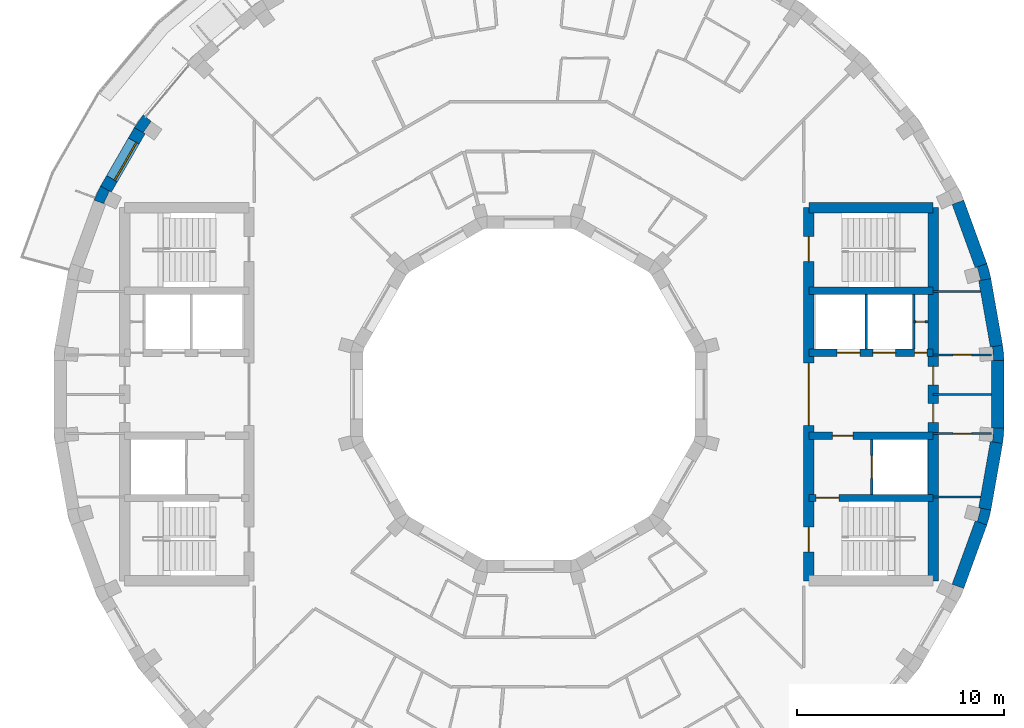
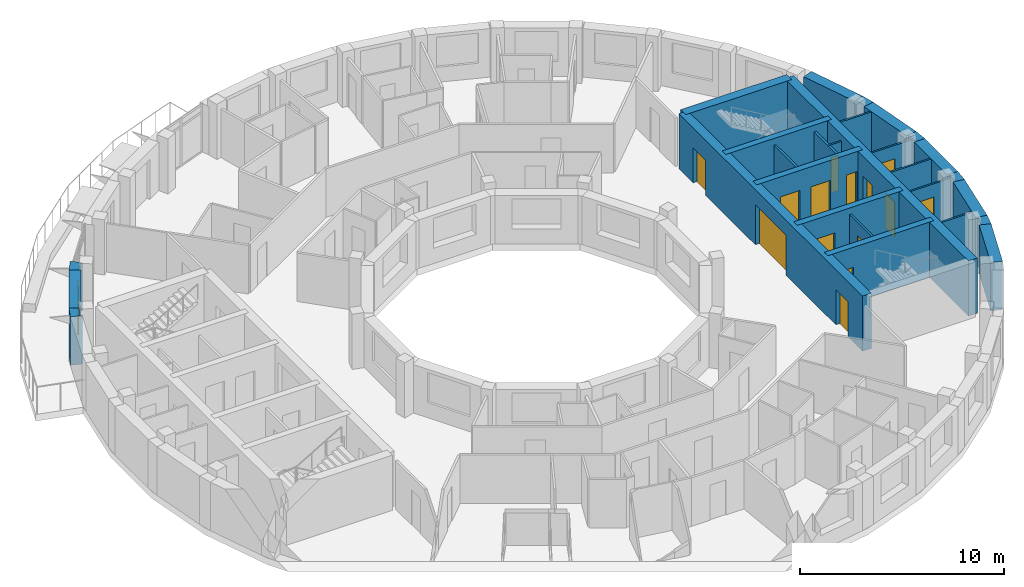
# One storey, part 8 of 12: 28 walls, 14 doors, 1 window, 15 openings.
"""IFC4 building model written with IfcOpenShell, lengths in metres."""

from ifc_helpers import new_model, si_unit, direction, frame, frame_2d, origin, place, context, subcontext, project, spatial, polyline, rectangle, outline, extrude, material, layer, layer_set, type_object, element, fill, save


model = new_model("IFC4")

# Units and contexts
model_context = context("Model", 3, precision=1e-05, world=origin(), true_north=direction((0.0, 1.0)))
body_context = subcontext(model_context, "Body", "Model", "MODEL_VIEW")
ifc_project = project(units=[si_unit("LENGTHUNIT", "METRE"), si_unit("AREAUNIT", "SQUARE_METRE"), si_unit("VOLUMEUNIT", "CUBIC_METRE"), si_unit("PLANEANGLEUNIT", "RADIAN"), si_unit("MASSUNIT", "GRAM", prefix="KILO")], contexts=[model_context])

# Site, building, storey
site_placement = place(None, origin())
site = spatial("IfcSite", under=ifc_project, at=site_placement, CompositionType="ELEMENT")
building_placement = place(site_placement, origin())
building = spatial("IfcBuilding", under=site, at=building_placement, Name="Saqina Gate Tower", CompositionType="ELEMENT")
storey_placement = place(building_placement, frame((0.0, 0.0, 229.699951171875)))
storey = spatial("IfcBuildingStorey", under=building, at=storey_placement, Name="L65", CompositionType="ELEMENT", Elevation=229.699951171875)

# Walls
ifc_material_1 = material(Name="Brick masonry (buff)", Category="masonry")
wall_type_1 = type_object("IfcWallType", Name="BRICK PIER COPING BUFF", PredefinedType="SOLIDWALL", material=ifc_material_1)
wall_1_placement = place(storey_placement, origin())
element("IfcWall", 1, at=wall_1_placement, inside=storey, type_object=wall_type_1, Name="Pier cap L65 column 1", PredefinedType="SOLIDWALL", context=body_context, shape_type="SweptSolid", body=[
    extrude(outline(polyline([(22.91259765625, 1.625732421875), (22.8466796875, 2.377685546875), (22.255859375, 2.2734375), (22.361083984375, 2.28271484375), (22.417724609375, 1.635009765625), (22.3125, 1.625732421875), (22.91259765625, 1.625732421875)])), origin(), (0.0, 0.0, 1.0), 2.900146484375),
])
wall_2_placement = place(storey_placement, origin())
element("IfcWall", 2, at=wall_2_placement, inside=storey, type_object=wall_type_1, Name="Pier cap L65 column 2", PredefinedType="SOLIDWALL", context=body_context, shape_type="SweptSolid", body=[
    extrude(outline(polyline([(22.0869140625, 6.30859375), (21.52294921875, 6.103515625), (21.625, 6.130859375), (21.793212890625, 5.5029296875), (21.691162109375, 5.4755859375), (22.281982421875, 5.579833984375), (22.0869140625, 6.30859375)])), origin(), (0.0, 0.0, 1.0), 2.900146484375),
])
wall_3_placement = place(storey_placement, origin())
element("IfcWall", 3, at=wall_3_placement, inside=storey, type_object=wall_type_1, Name="Pier cap L65 column 15", PredefinedType="SOLIDWALL", context=body_context, shape_type="SweptSolid", body=[
    extrude(outline(polyline([(-19.02978515625, 12.8642578125), (-18.51025390625, 12.564208984375), (-18.596923828125, 12.625), (-18.22412109375, 13.157470703125), (-18.137451171875, 13.0966796875), (-18.59716796875, 13.482421875), (-19.02978515625, 12.8642578125)])), origin(), (0.0, 0.0, 1.0), 2.900146484375),
])
wall_4_placement = place(storey_placement, origin())
element("IfcWall", 4, at=wall_4_placement, inside=storey, type_object=wall_type_1, Name="Pier cap L65 column 16", PredefinedType="SOLIDWALL", context=body_context, shape_type="SweptSolid", body=[
    extrude(outline(polyline([(-20.65576171875, 10.048095703125), (-20.974609375, 9.3642578125), (-20.410888671875, 9.1591796875), (-20.506591796875, 9.203857421875), (-20.23193359375, 9.79296875), (-20.135986328125, 9.748291015625), (-20.65576171875, 10.048095703125)])), origin(), (0.0, 0.0, 1.0), 2.900146484375),
])
wall_5_placement = place(storey_placement, origin())
element("IfcWall", 5, at=wall_5_placement, inside=storey, type_object=wall_type_1, Name="Pier cap L65 column 35", PredefinedType="SOLIDWALL", context=body_context, shape_type="SweptSolid", body=[
    extrude(outline(polyline([(22.281982421875, -5.579833984375), (21.691162109375, -5.4755859375), (21.793212890625, -5.5029296875), (21.625, -6.130859375), (21.52294921875, -6.103515625), (22.0869140625, -6.30859375), (22.281982421875, -5.579833984375)])), origin(), (0.0, 0.0, 1.0), 2.900146484375),
])
wall_6_placement = place(storey_placement, origin())
element("IfcWall", 6, at=wall_6_placement, inside=storey, type_object=wall_type_1, Name="Pier cap L65 column 36", PredefinedType="SOLIDWALL", context=body_context, shape_type="SweptSolid", body=[
    extrude(outline(polyline([(22.8466796875, -2.377685546875), (22.91259765625, -1.625732421875), (22.3125, -1.625732421875), (22.417724609375, -1.635009765625), (22.361083984375, -2.28271484375), (22.255859375, -2.2734375), (22.8466796875, -2.377685546875)])), origin(), (0.0, 0.0, 1.0), 2.900146484375),
])

# Wall, opening, door
ifc_material_2 = material(Name="Gypsum board on steel studs", Category="steel")
ifc_layer_1 = layer(ifc_material_2, 0.10009765625)
ifc_layer_set_1 = layer_set([ifc_layer_1], Name="CORE PARTITION")
wall_type_2 = type_object("IfcWallType", Name="CORE PARTITION", PredefinedType="PARTITIONING", material=ifc_layer_set_1)
wall_7_placement = place(storey_placement, frame((18.56005859375, 3.5, 0.0), z_axis=(0.0, 0.0, 1.0), x_axis=(1.0, 0.0, 0.0)))
wall_7 = element("IfcWall", 7, at=wall_7_placement, inside=storey, type_object=wall_type_2, Name="L65-CP-E01", PredefinedType="PARTITIONING", context=body_context, shape_type="SweptSolid", body=[
    extrude(rectangle(XDim=0.68994140625, YDim=0.10009765625, at=frame_2d((0.344970703125, 0.0))), origin(), (0.0, 0.0, 1.0), 2.900146484375),
])
opening_1_placement = place(wall_7_placement, frame((0.10009765625, 0.0, 0.0)))
opening_1 = element("IfcOpeningElement", 8, at=opening_1_placement, cuts=wall_7, Name="Opening G19-D96", PredefinedType="OPENING", context=body_context, shape_type="SweptSolid", body=[
    extrude(rectangle(XDim=0.449951171875, YDim=2.10009765625, at=frame_2d((0.22509765625, 1.050048828125))), frame((0.0, 0.06201171875, 0.0), z_axis=(0.0, -1.0, 0.0), x_axis=(1.0, 0.0, 0.0)), (0.0, 0.0, 1.0), 0.1240234375),
])
ifc_material_3 = material(Name="Steel-framed fire door leaf, EI 60", Category="steel")
door_type_1 = type_object("IfcDoorType", Name="SERVICE ROOM DOOR 450", OperationType="SINGLE_SWING_LEFT", PredefinedType="DOOR", material=ifc_material_3)
door_1_placement = place(opening_1_placement, origin())
door_1 = element("IfcDoor", 9, at=door_1_placement, inside=storey, type_object=door_type_1, Name="L65-CD-E07", OperationType="SINGLE_SWING_RIGHT", OverallHeight=2.10009765625, OverallWidth=0.449951171875, PredefinedType="DOOR", context=body_context, shape_type="SweptSolid", body=[
    extrude(rectangle(XDim=0.449951171875, YDim=2.10009765625, at=frame_2d((0.22509765625, 1.050048828125))), frame((0.0, 0.02490234375, 0.0), z_axis=(0.0, -1.0, 0.0), x_axis=(1.0, 0.0, 0.0)), (0.0, 0.0, 1.0), 0.050048828125),
])
fill(opening_1, door_1)

# Wall
wall_8_placement = place(storey_placement, frame((19.5, 4.949951171875, 0.0), z_axis=(0.0, 0.0, 1.0), x_axis=(1.0, 0.0, 0.0)))
element("IfcWall", 10, at=wall_8_placement, inside=storey, type_object=wall_type_2, Name="L65-CP-E02", PredefinedType="PARTITIONING", context=body_context, shape_type="SweptSolid", body=[
    extrude(rectangle(XDim=2.283935546875, YDim=0.10009765625, at=frame_2d((1.14208984375, 0.0))), origin(), (0.0, 0.0, 1.0), 2.900146484375),
])

# Wall, opening, door
wall_9_placement = place(storey_placement, frame((19.5, 1.89990234375, 0.0), z_axis=(0.0, 0.0, 1.0), x_axis=(1.0, 0.0, 0.0)))
wall_9 = element("IfcWall", 11, at=wall_9_placement, inside=storey, type_object=wall_type_2, Name="L65-CP-E03", PredefinedType="PARTITIONING", context=body_context, shape_type="SweptSolid", body=[
    extrude(rectangle(XDim=2.8125, YDim=0.10009765625, at=frame_2d((1.40625, 0.0))), origin(), (0.0, 0.0, 1.0), 2.900146484375),
])
opening_2_placement = place(wall_9_placement, frame((0.956298828125, 0.0, 0.0)))
opening_2 = element("IfcOpeningElement", 12, at=opening_2_placement, cuts=wall_9, Name="Opening G19-D92", PredefinedType="OPENING", context=body_context, shape_type="SweptSolid", body=[
    extrude(rectangle(XDim=0.89990234375, YDim=2.10009765625, at=frame_2d((0.449951171875, 1.050048828125))), frame((0.0, 0.06201171875, 0.0), z_axis=(0.0, -1.0, 0.0), x_axis=(1.0, 0.0, 0.0)), (0.0, 0.0, 1.0), 0.1240234375),
])
ifc_material_4 = material(Name="Steel-framed fire door leaf, EI 60", Category="steel")
door_type_2 = type_object("IfcDoorType", Name="SERVICE ROOM DOOR 900", OperationType="SINGLE_SWING_LEFT", PredefinedType="DOOR", material=ifc_material_4)
door_2_placement = place(opening_2_placement, origin())
door_2 = element("IfcDoor", 13, at=door_2_placement, inside=storey, type_object=door_type_2, Name="L65-CD-E03", OperationType="SINGLE_SWING_RIGHT", OverallHeight=2.10009765625, OverallWidth=0.89990234375, PredefinedType="DOOR", context=body_context, shape_type="SweptSolid", body=[
    extrude(rectangle(XDim=0.89990234375, YDim=2.10009765625, at=frame_2d((0.449951171875, 1.050048828125))), frame((0.0, 0.02490234375, 0.0), z_axis=(0.0, -1.0, 0.0), x_axis=(1.0, 0.0, 0.0)), (0.0, 0.0, 1.0), 0.050048828125),
])
fill(opening_2, door_2)

# Wall
wall_10_placement = place(storey_placement, frame((19.5, -4.949951171875, 0.0), z_axis=(0.0, 0.0, 1.0), x_axis=(1.0, 0.0, 0.0)))
element("IfcWall", 14, at=wall_10_placement, inside=storey, type_object=wall_type_2, Name="L65-CP-E04", PredefinedType="PARTITIONING", context=body_context, shape_type="SweptSolid", body=[
    extrude(rectangle(XDim=2.283935546875, YDim=0.10009765625, at=frame_2d((1.14208984375, 0.0))), origin(), (0.0, 0.0, 1.0), 2.900146484375),
])

# Wall, opening, door
wall_11_placement = place(storey_placement, frame((19.5, -1.89990234375, 0.0), z_axis=(0.0, 0.0, 1.0), x_axis=(1.0, 0.0, 0.0)))
wall_11 = element("IfcWall", 15, at=wall_11_placement, inside=storey, type_object=wall_type_2, Name="L65-CP-E05", PredefinedType="PARTITIONING", context=body_context, shape_type="SweptSolid", body=[
    extrude(rectangle(XDim=2.8125, YDim=0.10009765625, at=frame_2d((1.40625, 0.0))), origin(), (0.0, 0.0, 1.0), 2.900146484375),
])
opening_3_placement = place(wall_11_placement, frame((0.956298828125, 0.0, 0.0)))
opening_3 = element("IfcOpeningElement", 16, at=opening_3_placement, cuts=wall_11, Name="Opening G19-D94", PredefinedType="OPENING", context=body_context, shape_type="SweptSolid", body=[
    extrude(rectangle(XDim=0.89990234375, YDim=2.10009765625, at=frame_2d((0.449951171875, 1.050048828125))), frame((0.0, 0.06201171875, 0.0), z_axis=(0.0, -1.0, 0.0), x_axis=(1.0, 0.0, 0.0)), (0.0, 0.0, 1.0), 0.1240234375),
])
door_3_placement = place(opening_3_placement, frame((0.89990234375, 0.0, 0.0), z_axis=(0.0, 0.0, 1.0), x_axis=(-1.0, 0.0, 0.0)))
door_3 = element("IfcDoor", 17, at=door_3_placement, inside=storey, type_object=door_type_2, Name="L65-CD-E05", OperationType="SINGLE_SWING_LEFT", OverallHeight=2.10009765625, OverallWidth=0.89990234375, PredefinedType="DOOR", context=body_context, shape_type="SweptSolid", body=[
    extrude(rectangle(XDim=0.89990234375, YDim=2.10009765625, at=frame_2d((0.449951171875, 1.050048828125))), frame((0.0, 0.02490234375, 0.0), z_axis=(0.0, -1.0, 0.0), x_axis=(1.0, 0.0, 0.0)), (0.0, 0.0, 1.0), 0.050048828125),
])
fill(opening_3, door_3)

# Wall
wall_12_placement = place(storey_placement, frame((19.5, 0.0, 0.0), z_axis=(0.0, 0.0, 1.0), x_axis=(1.0, 0.0, 0.0)))
element("IfcWall", 18, at=wall_12_placement, inside=storey, type_object=wall_type_2, Name="L65-CP-E06", PredefinedType="PARTITIONING", context=body_context, shape_type="SweptSolid", body=[
    extrude(rectangle(XDim=2.8125, YDim=0.10009765625, at=frame_2d((1.40625, 0.0))), origin(), (0.0, 0.0, 1.0), 2.900146484375),
])

# Wall, opening, window
ifc_material_5 = material(Name="Brick masonry (buff)", Category="masonry")
ifc_layer_2 = layer(ifc_material_5, 0.60009765625)
ifc_layer_set_2 = layer_set([ifc_layer_2], Name="FW-BRICK-BUFF")
wall_type_3 = type_object("IfcWallType", Name="FW-BRICK-BUFF", PredefinedType="SOLIDWALL", material=ifc_layer_set_2)
wall_13_placement = place(storey_placement, frame((-18.77001953125, 12.71435546875, 0.0), z_axis=(0.0, 0.0, 1.0), x_axis=(-0.500014901547, -0.866016800201, 0.0)))
wall_13 = element("IfcWall", 19, at=wall_13_placement, inside=storey, type_object=wall_type_3, Name="Facade wall L65 facet 15", PredefinedType="SOLIDWALL", context=body_context, shape_type="SweptSolid", body=[
    extrude(rectangle(XDim=3.251953125, YDim=0.60009765625, at=frame_2d((1.6259765625, 0.0))), origin(), (0.0, 0.0, 1.0), 2.900146484375),
])
opening_4_placement = place(wall_13_placement, frame((0.57568359375, 0.0, 0.89990234375)))
opening_4 = element("IfcOpeningElement", 20, at=opening_4_placement, cuts=wall_13, Name="Opening G19-W09", PredefinedType="OPENING", context=body_context, shape_type="SweptSolid", body=[
    extrude(rectangle(XDim=2.10009765625, YDim=1.800048828125, at=frame_2d((1.050048828125, 0.89990234375))), frame((0.0, 0.31201171875, 0.0), z_axis=(0.0, -1.0, 0.0), x_axis=(1.0, 0.0, 0.0)), (0.0, 0.0, 1.0), 0.6240234375),
])
ifc_material_6 = material(Name="Aluminium glazing", Category="aluminium")
window_type = type_object("IfcWindowType", Name="WN-D", PartitioningType="SINGLE_PANEL", PredefinedType="WINDOW", material=ifc_material_6)
window_placement = place(opening_4_placement, origin())
window = element("IfcWindow", 21, at=window_placement, inside=storey, type_object=window_type, Name="Window L65 facet 15", OverallHeight=1.800048828125, OverallWidth=2.10009765625, PartitioningType="SINGLE_PANEL", PredefinedType="WINDOW", context=body_context, shape_type="SweptSolid", body=[
    extrude(rectangle(XDim=2.10009765625, YDim=1.800048828125, at=frame_2d((1.050048828125, 0.89990234375))), frame((0.0, 0.179931640625, 0.0), z_axis=(0.0, -1.0, 0.0), x_axis=(1.0, 0.0, 0.0)), (0.0, 0.0, 1.0), 0.06005859375),
])
fill(opening_4, window)

# Walls
ifc_material_7 = material(Name="Glazed ceramic tile", Category="ceramic")
ifc_layer_3 = layer(ifc_material_7, 0.60009765625)
ifc_layer_set_3 = layer_set([ifc_layer_3], Name="FW-TILE")
wall_type_4 = type_object("IfcWallType", Name="FW-TILE", PredefinedType="SOLIDWALL", material=ifc_layer_set_3)
for number, where, z_axis, x_axis, name in (
    (22, (21.804931640625, 6.2060546875, 0.0), (0.0, 0.0, 1.0), (-0.342056509473, 0.939679383794, 0.0), "Facade wall L65 facet 2"),
    (23, (20.692626953125, -9.26171875, 0.0), (0.0, 0.0, 1.0), (0.342056509473, 0.939679383794, 0.0), "Facade wall L65 facet 34"),
):
    element("IfcWall", number, at=place(storey_placement, frame(where, z_axis=z_axis, x_axis=x_axis)), inside=storey, type_object=wall_type_4, Name=name, PredefinedType="SOLIDWALL", context=body_context, shape_type="SweptSolid", body=[
        extrude(rectangle(XDim=3.251708984375, YDim=0.60009765625, at=frame_2d((1.6259765625, 0.0))), origin(), (0.0, 0.0, 1.0), 2.900146484375),
    ])
wall_14_placement = place(storey_placement, frame((22.612548828125, -1.625732421875, 0.0), z_axis=(0.0, 0.0, 1.0), x_axis=(0.0, 1.0, 0.0)))
element("IfcWall", 24, at=wall_14_placement, inside=storey, type_object=wall_type_4, Name="Facade wall L65 facet 36", PredefinedType="SOLIDWALL", context=body_context, shape_type="SweptSolid", body=[
    extrude(rectangle(XDim=3.25146484375, YDim=0.60009765625, at=frame_2d((1.625732421875, 0.0))), origin(), (0.0, 0.0, 1.0), 2.900146484375),
])
ifc_material_8 = material(Name="Glazed ceramic tile (dark blue)", Category="ceramic")
ifc_layer_4 = layer(ifc_material_8, 0.60009765625)
ifc_layer_set_4 = layer_set([ifc_layer_4], Name="FW-TILE-CB")
wall_type_5 = type_object("IfcWallType", Name="FW-TILE-CB", PredefinedType="SOLIDWALL", material=ifc_layer_set_4)
wall_15_placement = place(storey_placement, frame((22.55126953125, 2.325439453125, 0.0), z_axis=(0.0, 0.0, 1.0), x_axis=(-0.173656842178, 0.984806225186, 0.0)))
element("IfcWall", 25, at=wall_15_placement, inside=storey, type_object=wall_type_5, Name="Facade wall L65 facet 1", PredefinedType="SOLIDWALL", context=body_context, shape_type="SweptSolid", body=[
    extrude(rectangle(XDim=3.251708984375, YDim=0.60009765625, at=frame_2d((1.6259765625, 0.0))), origin(), (0.0, 0.0, 1.0), 2.900146484375),
])
ifc_material_9 = material(Name="Glazed ceramic tile (white)", Category="ceramic")
ifc_layer_5 = layer(ifc_material_9, 0.60009765625)
ifc_layer_set_5 = layer_set([ifc_layer_5], Name="FW-TILE-WH")
wall_type_6 = type_object("IfcWallType", Name="FW-TILE-WH", PredefinedType="SOLIDWALL", material=ifc_layer_set_5)
wall_16_placement = place(storey_placement, frame((21.986572265625, -5.52783203125, 0.0), z_axis=(0.0, 0.0, 1.0), x_axis=(0.173656842178, 0.984806225186, 0.0)))
element("IfcWall", 26, at=wall_16_placement, inside=storey, type_object=wall_type_6, Name="Facade wall L65 facet 35", PredefinedType="SOLIDWALL", context=body_context, shape_type="SweptSolid", body=[
    extrude(rectangle(XDim=3.251708984375, YDim=0.60009765625, at=frame_2d((1.6259765625, 0.0))), origin(), (0.0, 0.0, 1.0), 2.900146484375),
])
ifc_material_10 = material(Name="Autoclaved aerated concrete block", Category="concrete")
ifc_layer_6 = layer(ifc_material_10, 0.1201171875)
ifc_layer_set_6 = layer_set([ifc_layer_6], Name="SHAFT PARTITION")
wall_type_7 = type_object("IfcWallType", Name="SHAFT PARTITION", PredefinedType="PARTITIONING", material=ifc_layer_set_6)
for number, where, z_axis, x_axis, name in (
    (27, (16.280029296875, 2.175048828125, 0.0), (0.0, 0.0, 1.0), (0.0, 1.0, 0.0), "L65-CP-E07"),
    (28, (18.56005859375, 2.175048828125, 0.0), (0.0, 0.0, 1.0), (0.0, 1.0, 0.0), "L65-CP-E08"),
):
    element("IfcWall", number, at=place(storey_placement, frame(where, z_axis=z_axis, x_axis=x_axis)), inside=storey, type_object=wall_type_7, Name=name, PredefinedType="PARTITIONING", context=body_context, shape_type="SweptSolid", body=[
        extrude(rectangle(XDim=2.64990234375, YDim=0.1201171875, at=frame_2d((1.324951171875, 0.0))), origin(), (0.0, 0.0, 1.0), 2.900146484375),
    ])

# Wall, opening, door
wall_17_placement = place(storey_placement, frame((16.530029296875, -4.824951171875, 0.0), z_axis=(0.0, 0.0, 1.0), x_axis=(0.0, 1.0, 0.0)))
wall_17 = element("IfcWall", 29, at=wall_17_placement, inside=storey, type_object=wall_type_7, Name="L65-CP-E09", PredefinedType="PARTITIONING", context=body_context, shape_type="SweptSolid", body=[
    extrude(rectangle(XDim=2.64990234375, YDim=0.1201171875, at=frame_2d((1.324951171875, 0.0))), origin(), (0.0, 0.0, 1.0), 2.900146484375),
])
opening_5_placement = place(wall_17_placement, frame((0.77490234375, 0.0, 0.0)))
opening_5 = element("IfcOpeningElement", 30, at=opening_5_placement, cuts=wall_17, Name="Opening G19-LD3", PredefinedType="OPENING", context=body_context, shape_type="SweptSolid", body=[
    extrude(rectangle(XDim=1.10009765625, YDim=2.10009765625, at=frame_2d((0.550048828125, 1.050048828125))), frame((0.0, 0.072021484375, 0.0), z_axis=(0.0, -1.0, 0.0), x_axis=(1.0, 0.0, 0.0)), (0.0, 0.0, 1.0), 0.14404296875),
])
ifc_material_11 = material(Name="Stainless steel", Category="steel")
door_type_3 = type_object("IfcDoorType", Name="LANDING DOOR", OperationType="DOUBLE_DOOR_SLIDING", PredefinedType="DOOR", material=ifc_material_11)
door_4_placement = place(opening_5_placement, origin())
door_4 = element("IfcDoor", 31, at=door_4_placement, inside=storey, type_object=door_type_3, Name="LANDING DOOR FF1", OperationType="DOUBLE_DOOR_SLIDING", OverallHeight=2.10009765625, OverallWidth=1.10009765625, PredefinedType="DOOR", context=body_context, shape_type="SweptSolid", body=[
    extrude(rectangle(XDim=1.10009765625, YDim=2.10009765625, at=frame_2d((0.550048828125, 1.050048828125))), frame((0.0, 0.02490234375, 0.0), z_axis=(0.0, -1.0, 0.0), x_axis=(1.0, 0.0, 0.0)), (0.0, 0.0, 1.0), 0.050048828125),
])
fill(opening_5, door_4)

# Wall
ifc_material_12 = material(Name="Concrete C60/75", Category="concrete")
ifc_layer_7 = layer(ifc_material_12, 0.35009765625)
ifc_layer_set_7 = layer_set([ifc_layer_7], Name="Concrete C60/75")
wall_type_8 = type_object("IfcWallType", Name="STR-CORE WALL-D-I", PredefinedType="SHEAR", material=ifc_layer_set_7)
wall_18_placement = place(storey_placement, frame((13.5, 5.0, 0.0), z_axis=(0.0, 0.0, 1.0), x_axis=(1.0, 0.0, 0.0)))
element("IfcWall", 32, at=wall_18_placement, inside=storey, type_object=wall_type_8, Name="CORE WALL L65 E-X1", PredefinedType="SHEAR", context=body_context, shape_type="SweptSolid", body=[
    extrude(rectangle(XDim=6.0, YDim=0.35009765625, at=frame_2d((3.0, 0.0))), origin(), (0.0, 0.0, 1.0), 3.300048828125),
])

# Wall, opening, door
wall_19_placement = place(storey_placement, frame((13.5, -5.0, 0.0), z_axis=(0.0, 0.0, 1.0), x_axis=(1.0, 0.0, 0.0)))
wall_19 = element("IfcWall", 33, at=wall_19_placement, inside=storey, type_object=wall_type_8, Name="CORE WALL L65 E-X2", PredefinedType="SHEAR", context=body_context, shape_type="SweptSolid", body=[
    extrude(rectangle(XDim=6.0, YDim=0.35009765625, at=frame_2d((3.0, 0.0))), origin(), (0.0, 0.0, 1.0), 3.300048828125),
])
opening_6_placement = place(wall_19_placement, frame((0.35009765625, 0.0, 0.0)))
opening_6 = element("IfcOpeningElement", 34, at=opening_6_placement, cuts=wall_19, Name="Opening G19-D97", PredefinedType="OPENING", context=body_context, shape_type="SweptSolid", body=[
    extrude(rectangle(XDim=1.10009765625, YDim=2.10009765625, at=frame_2d((0.550048828125, 1.050048828125))), frame((0.0, 0.18701171875, 0.0), z_axis=(0.0, -1.0, 0.0), x_axis=(1.0, 0.0, 0.0)), (0.0, 0.0, 1.0), 0.3740234375),
])
ifc_material_13 = material(Name="Steel", Category="steel")
door_type_4 = type_object("IfcDoorType", Name="FIRE LOBBY DOOR EI 60 WIDE", OperationType="SINGLE_SWING_LEFT", PredefinedType="DOOR", material=ifc_material_13)
door_5_placement = place(opening_6_placement, frame((1.10009765625, 0.0, 0.0), z_axis=(0.0, 0.0, 1.0), x_axis=(-1.0, 0.0, 0.0)))
door_5 = element("IfcDoor", 35, at=door_5_placement, inside=storey, type_object=door_type_4, Name="L65-CD-E08", OperationType="SINGLE_SWING_RIGHT", OverallHeight=2.10009765625, OverallWidth=1.10009765625, PredefinedType="DOOR", context=body_context, shape_type="SweptSolid", body=[
    extrude(rectangle(XDim=1.10009765625, YDim=2.10009765625, at=frame_2d((0.550048828125, 1.050048828125))), frame((0.0, 0.02490234375, 0.0), z_axis=(0.0, -1.0, 0.0), x_axis=(1.0, 0.0, 0.0)), (0.0, 0.0, 1.0), 0.050048828125),
])
fill(opening_6, door_5)

# Wall, openings, doors
wall_20_placement = place(storey_placement, frame((13.5, 2.0, 0.0), z_axis=(0.0, 0.0, 1.0), x_axis=(1.0, 0.0, 0.0)))
wall_20 = element("IfcWall", 36, at=wall_20_placement, inside=storey, type_object=wall_type_8, Name="CORE WALL L65 E-L1", PredefinedType="SHEAR", context=body_context, shape_type="SweptSolid", body=[
    extrude(rectangle(XDim=6.0, YDim=0.35009765625, at=frame_2d((3.0, 0.0))), origin(), (0.0, 0.0, 1.0), 3.300048828125),
])
opening_7_placement = place(wall_20_placement, frame((1.3701171875, 0.0, 0.0)))
opening_7 = element("IfcOpeningElement", 37, at=opening_7_placement, cuts=wall_20, Name="Opening G19-LD1", PredefinedType="OPENING", context=body_context, shape_type="SweptSolid", body=[
    extrude(rectangle(XDim=1.10009765625, YDim=2.10009765625, at=frame_2d((0.550048828125, 1.050048828125))), frame((0.0, 0.18701171875, 0.0), z_axis=(0.0, -1.0, 0.0), x_axis=(1.0, 0.0, 0.0)), (0.0, 0.0, 1.0), 0.3740234375),
])
opening_8_placement = place(wall_20_placement, frame((3.090087890625, 0.0, 0.0)))
opening_8 = element("IfcOpeningElement", 38, at=opening_8_placement, cuts=wall_20, Name="Opening G19-LD2", PredefinedType="OPENING", context=body_context, shape_type="SweptSolid", body=[
    extrude(rectangle(XDim=1.10009765625, YDim=2.10009765625, at=frame_2d((0.550048828125, 1.050048828125))), frame((0.0, 0.18701171875, 0.0), z_axis=(0.0, -1.0, 0.0), x_axis=(1.0, 0.0, 0.0)), (0.0, 0.0, 1.0), 0.3740234375),
])
opening_9_placement = place(wall_20_placement, frame((5.10498046875, 0.0, 0.0)))
opening_9 = element("IfcOpeningElement", 39, at=opening_9_placement, cuts=wall_20, Name="Opening G19-D90", PredefinedType="OPENING", context=body_context, shape_type="SweptSolid", body=[
    extrude(rectangle(XDim=0.60009765625, YDim=2.10009765625, at=frame_2d((0.300048828125, 1.050048828125))), frame((0.0, 0.18701171875, 0.0), z_axis=(0.0, -1.0, 0.0), x_axis=(1.0, 0.0, 0.0)), (0.0, 0.0, 1.0), 0.3740234375),
])
door_6_placement = place(opening_7_placement, origin())
door_6 = element("IfcDoor", 40, at=door_6_placement, inside=storey, type_object=door_type_3, Name="LANDING DOOR HR1", OperationType="DOUBLE_DOOR_SLIDING", OverallHeight=2.10009765625, OverallWidth=1.10009765625, PredefinedType="DOOR", context=body_context, shape_type="SweptSolid", body=[
    extrude(rectangle(XDim=1.10009765625, YDim=2.10009765625, at=frame_2d((0.550048828125, 1.050048828125))), frame((0.0, 0.02490234375, 0.0), z_axis=(0.0, -1.0, 0.0), x_axis=(1.0, 0.0, 0.0)), (0.0, 0.0, 1.0), 0.050048828125),
])
fill(opening_7, door_6)
door_7_placement = place(opening_8_placement, origin())
door_7 = element("IfcDoor", 41, at=door_7_placement, inside=storey, type_object=door_type_3, Name="LANDING DOOR HR2", OperationType="DOUBLE_DOOR_SLIDING", OverallHeight=2.10009765625, OverallWidth=1.10009765625, PredefinedType="DOOR", context=body_context, shape_type="SweptSolid", body=[
    extrude(rectangle(XDim=1.10009765625, YDim=2.10009765625, at=frame_2d((0.550048828125, 1.050048828125))), frame((0.0, 0.02490234375, 0.0), z_axis=(0.0, -1.0, 0.0), x_axis=(1.0, 0.0, 0.0)), (0.0, 0.0, 1.0), 0.050048828125),
])
fill(opening_8, door_7)
ifc_material_14 = material(Name="Steel-framed fire door leaf, EI 60", Category="steel")
door_type_5 = type_object("IfcDoorType", Name="SERVICE ROOM DOOR 600", OperationType="SINGLE_SWING_LEFT", PredefinedType="DOOR", material=ifc_material_14)
door_8_placement = place(opening_9_placement, origin())
door_8 = element("IfcDoor", 42, at=door_8_placement, inside=storey, type_object=door_type_5, Name="L65-CD-E01", OperationType="SINGLE_SWING_RIGHT", OverallHeight=2.10009765625, OverallWidth=0.60009765625, PredefinedType="DOOR", context=body_context, shape_type="SweptSolid", body=[
    extrude(rectangle(XDim=0.60009765625, YDim=2.10009765625, at=frame_2d((0.300048828125, 1.050048828125))), frame((0.0, 0.02490234375, 0.0), z_axis=(0.0, -1.0, 0.0), x_axis=(1.0, 0.0, 0.0)), (0.0, 0.0, 1.0), 0.050048828125),
])
fill(opening_9, door_8)

# Wall, opening, door
wall_21_placement = place(storey_placement, frame((13.5, -2.0, 0.0), z_axis=(0.0, 0.0, 1.0), x_axis=(1.0, 0.0, 0.0)))
wall_21 = element("IfcWall", 43, at=wall_21_placement, inside=storey, type_object=wall_type_8, Name="CORE WALL L65 E-L2", PredefinedType="SHEAR", context=body_context, shape_type="SweptSolid", body=[
    extrude(rectangle(XDim=6.0, YDim=0.35009765625, at=frame_2d((3.0, 0.0))), origin(), (0.0, 0.0, 1.0), 3.300048828125),
])
opening_10_placement = place(wall_21_placement, frame((1.139892578125, 0.0, 0.0)))
opening_10 = element("IfcOpeningElement", 44, at=opening_10_placement, cuts=wall_21, Name="Opening G19-D91", PredefinedType="OPENING", context=body_context, shape_type="SweptSolid", body=[
    extrude(rectangle(XDim=1.0, YDim=2.10009765625, at=frame_2d((0.5, 1.050048828125))), frame((0.0, 0.18701171875, 0.0), z_axis=(0.0, -1.0, 0.0), x_axis=(1.0, 0.0, 0.0)), (0.0, 0.0, 1.0), 0.3740234375),
])
ifc_material_15 = material(Name="Steel", Category="steel")
door_type_6 = type_object("IfcDoorType", Name="FIRE LOBBY DOOR EI 60", OperationType="SINGLE_SWING_LEFT", PredefinedType="DOOR", material=ifc_material_15)
door_9_placement = place(opening_10_placement, origin())
door_9 = element("IfcDoor", 45, at=door_9_placement, inside=storey, type_object=door_type_6, Name="L65-CD-E02", OperationType="SINGLE_SWING_LEFT", OverallHeight=2.10009765625, OverallWidth=1.0, PredefinedType="DOOR", context=body_context, shape_type="SweptSolid", body=[
    extrude(rectangle(XDim=1.0, YDim=2.10009765625, at=frame_2d((0.5, 1.050048828125))), frame((0.0, 0.02490234375, 0.0), z_axis=(0.0, -1.0, 0.0), x_axis=(1.0, 0.0, 0.0)), (0.0, 0.0, 1.0), 0.050048828125),
])
fill(opening_10, door_9)

# Wall, openings, doors
ifc_material_16 = material(Name="Concrete C60/75", Category="concrete")
ifc_layer_8 = layer(ifc_material_16, 0.5)
ifc_layer_set_8 = layer_set([ifc_layer_8], Name="Concrete C60/75")
wall_type_9 = type_object("IfcWallType", Name="STR-CORE WALL-D-O", PredefinedType="SHEAR", material=ifc_layer_set_8)
wall_22_placement = place(storey_placement, frame((13.5, -9.0, 0.0), z_axis=(0.0, 0.0, 1.0), x_axis=(0.0, 1.0, 0.0)))
wall_22 = element("IfcWall", 46, at=wall_22_placement, inside=storey, type_object=wall_type_9, Name="CORE WALL L65 E-W1", PredefinedType="SHEAR", context=body_context, shape_type="SweptSolid", body=[
    extrude(rectangle(XDim=18.0, YDim=0.5, at=frame_2d((9.0, 0.0))), origin(), (0.0, 0.0, 1.0), 3.300048828125),
])
opening_11_placement = place(wall_22_placement, frame((15.39990234375, 0.0, 0.0)))
opening_11 = element("IfcOpeningElement", 47, at=opening_11_placement, cuts=wall_22, Name="Opening G19-D98", PredefinedType="OPENING", context=body_context, shape_type="SweptSolid", body=[
    extrude(rectangle(XDim=1.199951171875, YDim=2.10009765625, at=frame_2d((0.60009765625, 1.050048828125))), frame((0.0, 0.261962890625, 0.0), z_axis=(0.0, -1.0, 0.0), x_axis=(1.0, 0.0, 0.0)), (0.0, 0.0, 1.0), 0.52392578125),
])
opening_12_placement = place(wall_22_placement, frame((1.39990234375, 0.0, 0.0)))
opening_12 = element("IfcOpeningElement", 48, at=opening_12_placement, cuts=wall_22, Name="Opening G19-D99", PredefinedType="OPENING", context=body_context, shape_type="SweptSolid", body=[
    extrude(rectangle(XDim=1.199951171875, YDim=2.10009765625, at=frame_2d((0.60009765625, 1.050048828125))), frame((0.0, 0.261962890625, 0.0), z_axis=(0.0, -1.0, 0.0), x_axis=(1.0, 0.0, 0.0)), (0.0, 0.0, 1.0), 0.52392578125),
])
opening_13_placement = place(wall_22_placement, frame((7.5, 0.0, 0.0)))
opening_13 = element("IfcOpeningElement", 49, at=opening_13_placement, cuts=wall_22, Name="Opening G19-D100", PredefinedType="OPENING", context=body_context, shape_type="SweptSolid", body=[
    extrude(rectangle(XDim=3.0, YDim=2.39990234375, at=frame_2d((1.5, 1.199951171875))), frame((0.0, 0.261962890625, 0.0), z_axis=(0.0, -1.0, 0.0), x_axis=(1.0, 0.0, 0.0)), (0.0, 0.0, 1.0), 0.52392578125),
])
ifc_material_17 = material(Name="Steel", Category="steel")
door_type_7 = type_object("IfcDoorType", Name="FIRE DOOR EI 60", OperationType="SINGLE_SWING_LEFT", PredefinedType="DOOR", material=ifc_material_17)
door_10_placement = place(opening_11_placement, frame((1.199951171875, 0.0, 0.0), z_axis=(0.0, 0.0, 1.0), x_axis=(-1.0, 0.0, 0.0)))
door_10 = element("IfcDoor", 50, at=door_10_placement, inside=storey, type_object=door_type_7, Name="L65-CD-E09", OperationType="SINGLE_SWING_LEFT", OverallHeight=2.10009765625, OverallWidth=1.199951171875, PredefinedType="DOOR", context=body_context, shape_type="SweptSolid", body=[
    extrude(rectangle(XDim=1.199951171875, YDim=2.10009765625, at=frame_2d((0.60009765625, 1.050048828125))), frame((0.0, 0.02490234375, 0.0), z_axis=(0.0, -1.0, 0.0), x_axis=(1.0, 0.0, 0.0)), (0.0, 0.0, 1.0), 0.050048828125),
])
fill(opening_11, door_10)
door_11_placement = place(opening_12_placement, frame((1.199951171875, 0.0, 0.0), z_axis=(0.0, 0.0, 1.0), x_axis=(-1.0, 0.0, 0.0)))
door_11 = element("IfcDoor", 51, at=door_11_placement, inside=storey, type_object=door_type_7, Name="L65-CD-E10", OperationType="SINGLE_SWING_RIGHT", OverallHeight=2.10009765625, OverallWidth=1.199951171875, PredefinedType="DOOR", context=body_context, shape_type="SweptSolid", body=[
    extrude(rectangle(XDim=1.199951171875, YDim=2.10009765625, at=frame_2d((0.60009765625, 1.050048828125))), frame((0.0, 0.02490234375, 0.0), z_axis=(0.0, -1.0, 0.0), x_axis=(1.0, 0.0, 0.0)), (0.0, 0.0, 1.0), 0.050048828125),
])
fill(opening_12, door_11)
ifc_material_18 = material(Name="Steel and fire-resisting glass", Category="steel")
door_type_8 = type_object("IfcDoorType", Name="LOBBY SCREEN DOOR", OperationType="DOUBLE_DOOR_SLIDING", PredefinedType="DOOR", material=ifc_material_18)
door_12_placement = place(opening_13_placement, origin())
door_12 = element("IfcDoor", 52, at=door_12_placement, inside=storey, type_object=door_type_8, Name="L65-CD-E11", OperationType="DOUBLE_DOOR_SLIDING", OverallHeight=2.39990234375, OverallWidth=3.0, PredefinedType="DOOR", context=body_context, shape_type="SweptSolid", body=[
    extrude(rectangle(XDim=3.0, YDim=2.39990234375, at=frame_2d((1.5, 1.199951171875))), frame((0.0, 0.02490234375, 0.0), z_axis=(0.0, -1.0, 0.0), x_axis=(1.0, 0.0, 0.0)), (0.0, 0.0, 1.0), 0.050048828125),
])
fill(opening_13, door_12)

wall_23_placement = place(storey_placement, frame((19.5, -9.0, 0.0), z_axis=(0.0, 0.0, 1.0), x_axis=(0.0, 1.0, 0.0)))
wall_23 = element("IfcWall", 53, at=wall_23_placement, inside=storey, type_object=wall_type_9, Name="CORE WALL L65 E-W2", PredefinedType="SHEAR", context=body_context, shape_type="SweptSolid", body=[
    extrude(rectangle(XDim=18.0, YDim=0.5, at=frame_2d((9.0, 0.0))), origin(), (0.0, 0.0, 1.0), 3.300048828125),
])
opening_14_placement = place(wall_23_placement, frame((9.449951171875, 0.0, 0.0)))
opening_14 = element("IfcOpeningElement", 54, at=opening_14_placement, cuts=wall_23, Name="Opening G19-D93", PredefinedType="OPENING", context=body_context, shape_type="SweptSolid", body=[
    extrude(rectangle(XDim=0.89990234375, YDim=2.10009765625, at=frame_2d((0.449951171875, 1.050048828125))), frame((0.0, 0.261962890625, 0.0), z_axis=(0.0, -1.0, 0.0), x_axis=(1.0, 0.0, 0.0)), (0.0, 0.0, 1.0), 0.52392578125),
])
opening_15_placement = place(wall_23_placement, frame((7.64990234375, 0.0, 0.0)))
opening_15 = element("IfcOpeningElement", 55, at=opening_15_placement, cuts=wall_23, Name="Opening G19-D95", PredefinedType="OPENING", context=body_context, shape_type="SweptSolid", body=[
    extrude(rectangle(XDim=0.89990234375, YDim=2.10009765625, at=frame_2d((0.449951171875, 1.050048828125))), frame((0.0, 0.261962890625, 0.0), z_axis=(0.0, -1.0, 0.0), x_axis=(1.0, 0.0, 0.0)), (0.0, 0.0, 1.0), 0.52392578125),
])
door_13_placement = place(opening_14_placement, frame((0.89990234375, 0.0, 0.0), z_axis=(0.0, 0.0, 1.0), x_axis=(-1.0, 0.0, 0.0)))
door_13 = element("IfcDoor", 56, at=door_13_placement, inside=storey, type_object=door_type_2, Name="L65-CD-E04", OperationType="SINGLE_SWING_LEFT", OverallHeight=2.10009765625, OverallWidth=0.89990234375, PredefinedType="DOOR", context=body_context, shape_type="SweptSolid", body=[
    extrude(rectangle(XDim=0.89990234375, YDim=2.10009765625, at=frame_2d((0.449951171875, 1.050048828125))), frame((0.0, 0.02490234375, 0.0), z_axis=(0.0, -1.0, 0.0), x_axis=(1.0, 0.0, 0.0)), (0.0, 0.0, 1.0), 0.050048828125),
])
fill(opening_14, door_13)
door_14_placement = place(opening_15_placement, frame((0.89990234375, 0.0, 0.0), z_axis=(0.0, 0.0, 1.0), x_axis=(-1.0, 0.0, 0.0)))
door_14 = element("IfcDoor", 57, at=door_14_placement, inside=storey, type_object=door_type_2, Name="L65-CD-E06", OperationType="SINGLE_SWING_RIGHT", OverallHeight=2.10009765625, OverallWidth=0.89990234375, PredefinedType="DOOR", context=body_context, shape_type="SweptSolid", body=[
    extrude(rectangle(XDim=0.89990234375, YDim=2.10009765625, at=frame_2d((0.449951171875, 1.050048828125))), frame((0.0, 0.02490234375, 0.0), z_axis=(0.0, -1.0, 0.0), x_axis=(1.0, 0.0, 0.0)), (0.0, 0.0, 1.0), 0.050048828125),
])
fill(opening_15, door_14)

# Wall
wall_24_placement = place(storey_placement, frame((13.5, 9.0, 0.0), z_axis=(0.0, 0.0, 1.0), x_axis=(1.0, 0.0, 0.0)))
element("IfcWall", 58, at=wall_24_placement, inside=storey, type_object=wall_type_9, Name="CORE WALL L65 E-NE", PredefinedType="SHEAR", context=body_context, shape_type="SweptSolid", body=[
    extrude(rectangle(XDim=6.0, YDim=0.5, at=frame_2d((3.0, 0.0))), origin(), (0.0, 0.0, 1.0), 3.300048828125),
])

save(model, "model.ifc")
